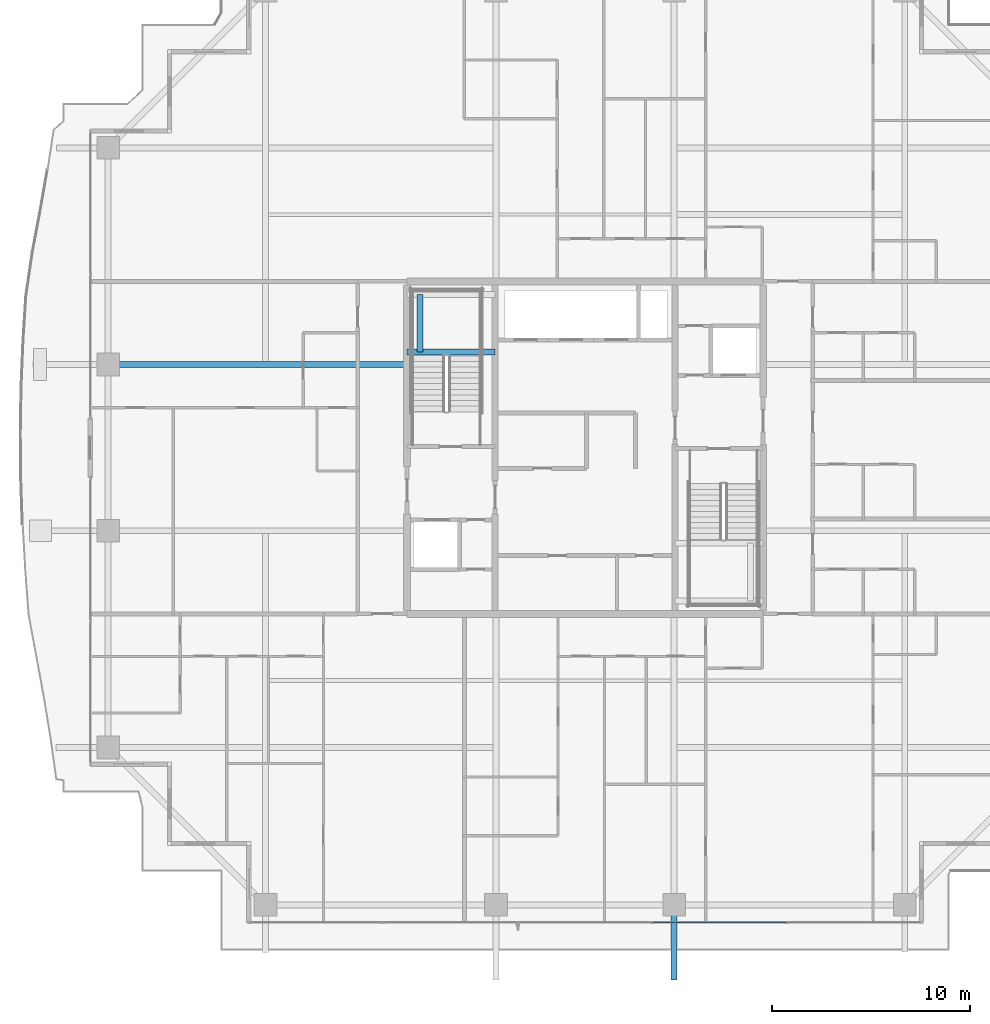
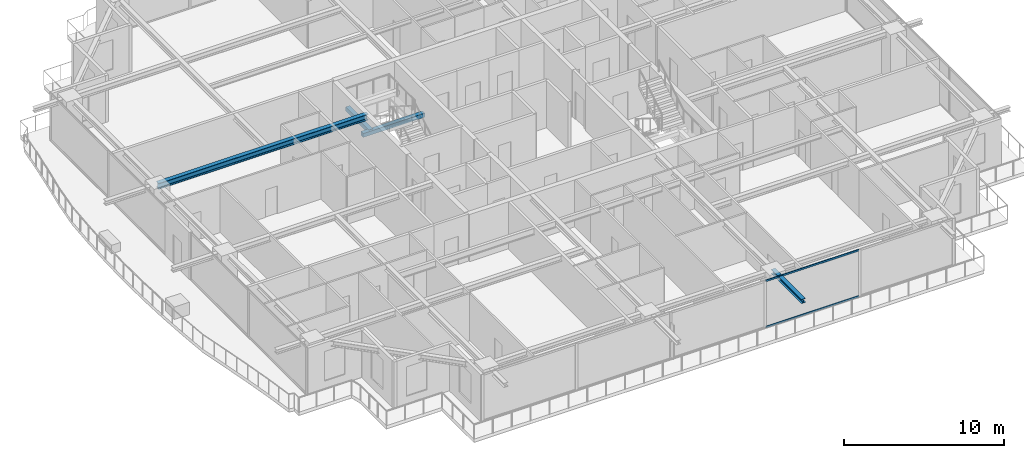
# One storey, part 11 of 40: 4 beams, 2 members, 1 element without a shape of its own.
"""IFC4 building model written with IfcOpenShell, lengths in metres."""

from ifc_helpers import new_model, si_unit, direction, frame, origin, origin_2d, place, context, subcontext, project, spatial, rectangle, hollow_rectangle, i_section, extrude, source, transform, mapped, material, layer, layer_set, material_profile, profile_set, type_object, element, aggregate, save


model = new_model("IFC4")

# Units and contexts
model_context = context("Model", 3, precision=1e-05, world=origin(), true_north=direction((0.0, 1.0)))
body_context = subcontext(model_context, "Body", "Model", "MODEL_VIEW")
ifc_project = project(units=[si_unit("LENGTHUNIT", "METRE"), si_unit("AREAUNIT", "SQUARE_METRE"), si_unit("VOLUMEUNIT", "CUBIC_METRE"), si_unit("PLANEANGLEUNIT", "RADIAN"), si_unit("MASSUNIT", "GRAM", prefix="KILO")], contexts=[model_context])

# Site, building, storey
site_placement = place(None, origin())
site = spatial("IfcSite", under=ifc_project, at=site_placement, CompositionType="ELEMENT")
building_placement = place(site_placement, origin())
building = spatial("IfcBuilding", under=site, at=building_placement, Name="Serunith Strait Residences", CompositionType="ELEMENT")
storey_placement = place(building_placement, frame((0.0, 0.0, 252.800048828125)))
storey = spatial("IfcBuildingStorey", under=building, at=storey_placement, Name="L63", CompositionType="ELEMENT", Elevation=252.800048828125)

# Beams
ifc_material_1 = material(Name="Steel S355J2", Category="steel")
ifc_material_profile_1 = material_profile(ifc_material_1, i_section(OverallWidth=0.300048828125, OverallDepth=0.449951171875, WebThickness=0.013916015625, FlangeThickness=0.02587890625, FilletRadius=0.027099609375, at=origin_2d()), Name="HEB 450")
ifc_profile_set_1 = profile_set([ifc_material_profile_1], Name="Steel S355J2")
beam_type_1 = type_object("IfcBeamType", Name="BM-HEB450", PredefinedType="BEAM", material=ifc_profile_set_1)
shared_shape_1 = source(origin(), body_context, "Body", "SweptSolid", [
    extrude(i_section(OverallWidth=0.300048828125, OverallDepth=0.449951171875, WebThickness=0.013916015625, FlangeThickness=0.02587890625, FilletRadius=0.027099609375, at=origin_2d()), origin(), (0.0, 0.0, 1.0), 15.099853515625),
])
beam_1_placement = place(storey_placement, frame((23.39990234375, 29.39990234375, 3.362060546875), z_axis=(-1.0, 0.0, 0.0), x_axis=(0.0, -1.0, 0.0)))
element("IfcBeam", 1, at=beam_1_placement, inside=storey, type_object=beam_type_1, Name="L63 Primary Floor Girder TC-W3", PredefinedType="BEAM", context=body_context, shape_type="MappedRepresentation", body=[
    mapped(shared_shape_1, transform((0.0, 0.0, 0.0), scale=1.0)),
])
ifc_material_profile_2 = material_profile(ifc_material_1, i_section(OverallWidth=0.300048828125, OverallDepth=0.320068359375, WebThickness=0.011474609375, FlangeThickness=0.0205078125, FilletRadius=0.027099609375, at=origin_2d()), Name="HEB 320")
ifc_profile_set_2 = profile_set([ifc_material_profile_2], Name="Steel S355J2")
beam_type_2 = type_object("IfcBeamType", Name="BM-HEB320", PredefinedType="BEAM", material=ifc_profile_set_2)
shared_shape_2 = source(origin(), body_context, "Body", "SweptSolid", [
    extrude(i_section(OverallWidth=0.300048828125, OverallDepth=0.320068359375, WebThickness=0.011474609375, FlangeThickness=0.0205078125, FilletRadius=0.027099609375, at=origin_2d()), origin(), (0.0, 0.0, 1.0), 3.800048828125),
])
beam_2_placement = place(storey_placement, frame((36.89990234375, 2.10009765625, 3.39697265625), z_axis=(0.0, -1.0, 0.0), x_axis=(1.0, 0.0, 0.0)))
element("IfcBeam", 2, at=beam_2_placement, inside=storey, type_object=beam_type_2, Name="L64 Cantilevered Balcony Rib TC-S3", PredefinedType="BEAM", context=body_context, shape_type="MappedRepresentation", body=[
    mapped(shared_shape_2, transform((0.0, 0.0, 0.0), scale=1.0)),
])
ifc_material_2 = material(Name="Concrete C60/75", Category="concrete")
ifc_material_profile_3 = material_profile(ifc_material_2, rectangle(XDim=0.300048828125, YDim=0.300048828125, at=origin_2d()), Name="RC 300x300")
ifc_profile_set_3 = profile_set([ifc_material_profile_3], Name="Concrete C60/75")
beam_type_3 = type_object("IfcBeamType", Name="BM-LAND-300x300", PredefinedType="BEAM", material=ifc_profile_set_3)
shared_shape_3 = source(origin(), body_context, "Body", "SweptSolid", [
    extrude(rectangle(XDim=0.300048828125, YDim=0.300048828125, at=origin_2d()), origin(), (0.0, 0.0, 1.0), 4.4501953125),
])
beam_3_placement = place(storey_placement, frame((23.39990234375, 30.030029296875, 1.574951171875), z_axis=(1.0, 0.0, 0.0), x_axis=(0.0, 1.0, 0.0)))
element("IfcBeam", 3, at=beam_3_placement, inside=storey, type_object=beam_type_3, Name="L63 ST-1 Landing Support Beam 1", PredefinedType="BEAM", context=body_context, shape_type="MappedRepresentation", body=[
    mapped(shared_shape_3, transform((0.0, 0.0, 0.0), scale=1.0)),
])
shared_shape_4 = source(origin(), body_context, "Body", "SweptSolid", [
    extrude(rectangle(XDim=0.300048828125, YDim=0.300048828125, at=origin_2d()), origin(), (0.0, 0.0, 1.0), 2.919921875),
])
beam_4_placement = place(storey_placement, frame((24.050048828125, 30.030029296875, 1.574951171875), z_axis=(0.0, 1.0, 0.0), x_axis=(-1.0, 0.0, 0.0)))
element("IfcBeam", 4, at=beam_4_placement, inside=storey, type_object=beam_type_3, Name="L63 ST-1 Landing Transverse Tie Beam", PredefinedType="BEAM", context=body_context, shape_type="MappedRepresentation", body=[
    mapped(shared_shape_4, transform((0.0, 0.0, 0.0), scale=1.0)),
])

# Curtain wall, members
ifc_material_3 = material(Name="Pale-Champagne Anodised Aluminium", Category="aluminium")
ifc_layer = layer(ifc_material_3, 0.199951171875, Name="Pale-Champagne Anodised Aluminium")
ifc_layer_set = layer_set([ifc_layer], Name="Pale-Champagne Anodised Aluminium")
curtain_wall_type = type_object("IfcCurtainWallType", Name="CW-SYS4", PredefinedType="NOTDEFINED", material=ifc_layer_set)
curtain_wall_placement = place(storey_placement, origin())
curtain_wall = element("IfcCurtainWall", 5, at=curtain_wall_placement, inside=storey, type_object=curtain_wall_type, Name="L63 S Unitised Fritted Curtain Wall", PredefinedType="NOTDEFINED")
ifc_material_profile_4 = material_profile(ifc_material_3, hollow_rectangle(XDim=0.06005859375, YDim=0.139892578125, WallThickness=0.00341796875, InnerFilletRadius=0.00537109375, OuterFilletRadius=0.0087890625, at=origin_2d()), Name="ALU 140x60x3.5")
ifc_profile_set_4 = profile_set([ifc_material_profile_4], Name="Pale-Champagne Anodised Aluminium")
member_type = type_object("IfcMemberType", Name="CW-SYS4-TRAN", PredefinedType="USERDEFINED", material=ifc_profile_set_4)
shared_shape_5 = source(origin(), body_context, "Body", "SweptSolid", [
    extrude(hollow_rectangle(XDim=0.06005859375, YDim=0.139892578125, WallThickness=0.00341796875, InnerFilletRadius=0.00537109375, OuterFilletRadius=0.0087890625, at=origin_2d()), origin(), (0.0, 0.0, 1.0), 6.73486328125),
])
member_1_placement = place(storey_placement, frame((35.83251953125, 1.199951171875, 0.030029296875), z_axis=(1.0, 0.0, 0.0), x_axis=(0.0, 1.0, 0.0)))
member_1 = element("IfcMember", 6, at=member_1_placement, type_object=member_type, Name="CW-4 transom 4.1", ObjectType="TRANSOM", PredefinedType="USERDEFINED", context=body_context, shape_type="MappedRepresentation", body=[
    mapped(shared_shape_5, transform((0.0, 0.0, 0.0), scale=1.0)),
])
member_2_placement = place(storey_placement, frame((35.83251953125, 1.199951171875, 3.544921875), z_axis=(1.0, 0.0, 0.0), x_axis=(0.0, 1.0, 0.0)))
member_2 = element("IfcMember", 7, at=member_2_placement, type_object=member_type, Name="CW-4 transom 4.2", ObjectType="TRANSOM", PredefinedType="USERDEFINED", context=body_context, shape_type="MappedRepresentation", body=[
    mapped(shared_shape_5, transform((0.0, 0.0, 0.0), scale=1.0)),
])
aggregate(curtain_wall, [member_1, member_2])

save(model, "model.ifc")
